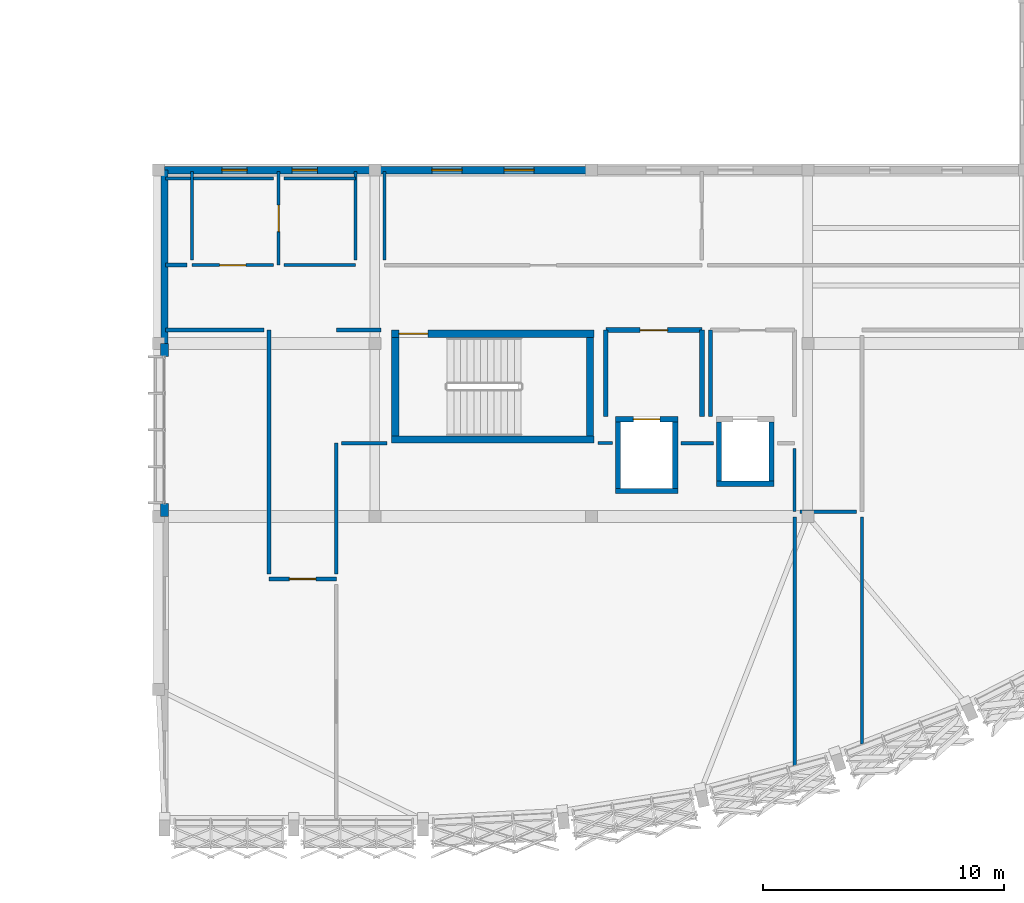
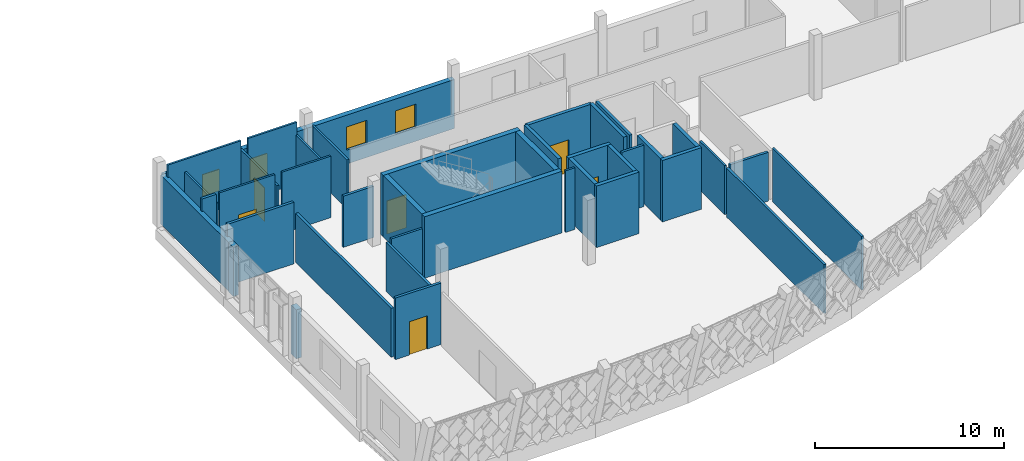
# One storey, part 19 of 24: 41 walls, 6 doors, 4 windows, 10 openings.
"""IFC4 building model written with IfcOpenShell, lengths in metres."""

from ifc_helpers import new_model, si_unit, direction, frame, frame_2d, origin, place, context, subcontext, project, spatial, rectangle, extrude, material, layer, layer_set, type_object, element, fill, save


model = new_model("IFC4")

# Units and contexts
model_context = context("Model", 3, precision=1e-05, world=origin(), true_north=direction((0.0, 1.0)))
body_context = subcontext(model_context, "Body", "Model", "MODEL_VIEW")
ifc_project = project(units=[si_unit("LENGTHUNIT", "METRE"), si_unit("AREAUNIT", "SQUARE_METRE"), si_unit("VOLUMEUNIT", "CUBIC_METRE"), si_unit("PLANEANGLEUNIT", "RADIAN"), si_unit("MASSUNIT", "GRAM", prefix="KILO")], contexts=[model_context])

# Site, building, storey
site_placement = place(None, origin())
site = spatial("IfcSite", under=ifc_project, at=site_placement, CompositionType="ELEMENT")
building_placement = place(site_placement, origin())
building = spatial("IfcBuilding", under=site, at=building_placement, Name="Chiffa Square Polytechnic", CompositionType="ELEMENT")
storey_placement = place(building_placement, frame((0.0, 0.0, 22.199951171875)))
storey = spatial("IfcBuildingStorey", under=building, at=storey_placement, Name="L05", CompositionType="ELEMENT", Elevation=22.199951171875)

# Wall
ifc_material_1 = material(Name="Concrete C40/50", Category="concrete")
ifc_layer_1 = layer(ifc_material_1, 0.300048828125, Name="Concrete C40/50")
ifc_layer_set_1 = layer_set([ifc_layer_1], Name="Concrete C40/50")
wall_type_1 = type_object("IfcWallType", Name="WL-CORE-300", PredefinedType="SHEAR", material=ifc_layer_set_1)
wall_1_placement = place(storey_placement, frame((121.89990234375, 17.60009765625, 0.0), z_axis=(0.0, 0.0, 1.0), x_axis=(1.0, 0.0, 0.0)))
element("IfcWall", 1, at=wall_1_placement, inside=storey, type_object=wall_type_1, Name="Core or enclosure wall WC-CORE-V1A-L05-SOUTH", PredefinedType="SHEAR", context=body_context, shape_type="SweptSolid", body=[
    extrude(rectangle(XDim=8.400146484375, YDim=0.300048828125, at=frame_2d((4.2001953125, 0.0))), origin(), (0.0, 0.0, 1.0), 3.97998046875),
])

# Wall, opening, door
wall_2_placement = place(storey_placement, frame((121.89990234375, 22.0, 0.0), z_axis=(0.0, 0.0, 1.0), x_axis=(1.0, 0.0, 0.0)))
wall_2 = element("IfcWall", 2, at=wall_2_placement, inside=storey, type_object=wall_type_1, Name="Core or enclosure wall WC-CORE-V1A-L05-NORTH", PredefinedType="SHEAR", context=body_context, shape_type="SweptSolid", body=[
    extrude(rectangle(XDim=8.400146484375, YDim=0.300048828125, at=frame_2d((4.2001953125, 0.0))), origin(), (0.0, 0.0, 1.0), 3.97998046875),
])
opening_1_placement = place(wall_2_placement, frame((0.300048828125, 0.0, 0.0)))
opening_1 = element("IfcOpeningElement", 3, at=opening_1_placement, cuts=wall_2, Name="Opening DS-L05-007", PredefinedType="OPENING", context=body_context, shape_type="SweptSolid", body=[
    extrude(rectangle(XDim=1.199951171875, YDim=2.14990234375, at=frame_2d((0.60009765625, 1.074951171875))), frame((0.0, 0.16015625, 0.0), z_axis=(0.0, -1.0, 0.0), x_axis=(1.0, 0.0, 0.0)), (0.0, 0.0, 1.0), 0.320068359375),
])
ifc_material_2 = material(Name="Fire-rated painted steel leaf", Category="steel")
door_type_1 = type_object("IfcDoorType", Name="DR-STAIR-1200", OperationType="NOTDEFINED", PredefinedType="DOOR", material=ifc_material_2)
door_1_placement = place(opening_1_placement, origin())
door_1 = element("IfcDoor", 4, at=door_1_placement, inside=storey, type_object=door_type_1, Name="Enclosure door DS-L05-007", OperationType="SINGLE_SWING_LEFT", OverallHeight=2.14990234375, OverallWidth=1.199951171875, PredefinedType="DOOR", context=body_context, shape_type="SweptSolid", body=[
    extrude(rectangle(XDim=1.199951171875, YDim=2.14990234375, at=frame_2d((0.60009765625, 1.074951171875))), frame((0.0, 0.02490234375, 0.0), z_axis=(0.0, -1.0, 0.0), x_axis=(1.0, 0.0, 0.0)), (0.0, 0.0, 1.0), 0.050048828125),
])
fill(opening_1, door_1)

# Walls
for number, where, z_axis, x_axis, name in (
    (5, (122.050048828125, 17.75, 0.0), (0.0, 0.0, 1.0), (0.0, 1.0, 0.0), "Core or enclosure wall WC-CORE-V1A-L05-WEST"),
    (6, (130.14990234375, 17.75, 0.0), (0.0, 0.0, 1.0), (0.0, 1.0, 0.0), "Core or enclosure wall WC-CORE-V1A-L05-EAST"),
):
    element("IfcWall", number, at=place(storey_placement, frame(where, z_axis=z_axis, x_axis=x_axis)), inside=storey, type_object=wall_type_1, Name=name, PredefinedType="SHEAR", context=body_context, shape_type="SweptSolid", body=[
        extrude(rectangle(XDim=4.10009765625, YDim=0.300048828125, at=frame_2d((2.050048828125, 0.0))), origin(), (0.0, 0.0, 1.0), 3.97998046875),
    ])

# Wall, openings, windows
ifc_material_3 = material(Name="Precast concrete C40/50", Category="concrete")
ifc_layer_2 = layer(ifc_material_3, 0.300048828125, Name="Precast concrete C40/50")
ifc_layer_set_2 = layer_set([ifc_layer_2], Name="Precast concrete C40/50")
wall_type_2 = type_object("IfcWallType", Name="WL-EXT-PC300", PredefinedType="SOLIDWALL", material=ifc_layer_set_2)
wall_3_placement = place(storey_placement, frame((130.199951171875, 28.800048828125, 0.0), z_axis=(0.0, 0.0, 1.0), x_axis=(-1.0, 0.0, 0.0)))
wall_3 = element("IfcWall", 7, at=wall_3_placement, inside=storey, type_object=wall_type_2, Name="Exterior wall WE-V1-L05-0081", PredefinedType="SOLIDWALL", context=body_context, shape_type="SweptSolid", body=[
    extrude(rectangle(XDim=9.0, YDim=0.300048828125, at=frame_2d((4.5, 0.0))), origin(), (0.0, 0.0, 1.0), 3.1650390625),
])
opening_2_placement = place(wall_3_placement, frame((2.375, 0.0, 0.89990234375)))
opening_2 = element("IfcOpeningElement", 8, at=opening_2_placement, cuts=wall_3, Name="Opening W-18", PredefinedType="OPENING", context=body_context, shape_type="SweptSolid", body=[
    extrude(rectangle(XDim=1.25, YDim=1.5, at=frame_2d((0.625, 0.75))), frame((0.0, 0.16015625, 0.0), z_axis=(0.0, -1.0, 0.0), x_axis=(1.0, 0.0, 0.0)), (0.0, 0.0, 1.0), 0.320068359375),
])
opening_3_placement = place(wall_3_placement, frame((5.375, 0.0, 0.89990234375)))
opening_3 = element("IfcOpeningElement", 9, at=opening_3_placement, cuts=wall_3, Name="Opening W-18", PredefinedType="OPENING", context=body_context, shape_type="SweptSolid", body=[
    extrude(rectangle(XDim=1.25, YDim=1.5, at=frame_2d((0.625, 0.75))), frame((0.0, 0.16015625, 0.0), z_axis=(0.0, -1.0, 0.0), x_axis=(1.0, 0.0, 0.0)), (0.0, 0.0, 1.0), 0.320068359375),
])
ifc_material_4 = material(Name="Double glazing in thermally broken aluminium frame", Category="aluminium")
window_type_1 = type_object("IfcWindowType", Name="WIN-OFF-1250X1500", PartitioningType="DOUBLE_PANEL_VERTICAL", PredefinedType="WINDOW", material=ifc_material_4)
window_1_placement = place(opening_2_placement, origin())
window_1 = element("IfcWindow", 10, at=window_1_placement, inside=storey, type_object=window_type_1, Name="Facade window WN-L05-0083", OverallHeight=1.5, OverallWidth=1.25, PartitioningType="DOUBLE_PANEL_VERTICAL", PredefinedType="WINDOW", context=body_context, shape_type="SweptSolid", body=[
    extrude(rectangle(XDim=1.25, YDim=1.5, at=frame_2d((0.625, 0.75))), frame((0.0, 0.030029296875, 0.0), z_axis=(0.0, -1.0, 0.0), x_axis=(1.0, 0.0, 0.0)), (0.0, 0.0, 1.0), 0.06005859375),
])
fill(opening_2, window_1)
window_2_placement = place(opening_3_placement, origin())
window_2 = element("IfcWindow", 11, at=window_2_placement, inside=storey, type_object=window_type_1, Name="Facade window WN-L05-0084", OverallHeight=1.5, OverallWidth=1.25, PartitioningType="DOUBLE_PANEL_VERTICAL", PredefinedType="WINDOW", context=body_context, shape_type="SweptSolid", body=[
    extrude(rectangle(XDim=1.25, YDim=1.5, at=frame_2d((0.625, 0.75))), frame((0.0, 0.030029296875, 0.0), z_axis=(0.0, -1.0, 0.0), x_axis=(1.0, 0.0, 0.0)), (0.0, 0.0, 1.0), 0.06005859375),
])
fill(opening_3, window_2)

# Wall
wall_4_placement = place(storey_placement, frame((112.449951171875, 28.800048828125, 0.0), z_axis=(0.0, 0.0, 1.0), x_axis=(0.0, -1.0, 0.0)))
element("IfcWall", 12, at=wall_4_placement, inside=storey, type_object=wall_type_2, Name="Exterior wall WE-V1-L05-0083", PredefinedType="SOLIDWALL", context=body_context, shape_type="SweptSolid", body=[
    extrude(rectangle(XDim=7.199951171875, YDim=0.300048828125, at=frame_2d((3.60009765625, 0.0))), origin(), (0.0, 0.0, 1.0), 3.1650390625),
])

# Wall, openings, windows
ifc_layer_3 = layer(ifc_material_3, 0.320068359375, Name="Precast concrete C40/50")
ifc_layer_set_3 = layer_set([ifc_layer_3], Name="Precast concrete C40/50")
wall_type_3 = type_object("IfcWallType", Name="WL-EXT-PC320", PredefinedType="SOLIDWALL", material=ifc_layer_set_3)
wall_5_placement = place(storey_placement, frame((121.199951171875, 28.800048828125, 0.0), z_axis=(0.0, 0.0, 1.0), x_axis=(-1.0, 0.0, 0.0)))
wall_5 = element("IfcWall", 13, at=wall_5_placement, inside=storey, type_object=wall_type_3, Name="Exterior wall WE-V1-L05-0082", PredefinedType="SOLIDWALL", context=body_context, shape_type="SweptSolid", body=[
    extrude(rectangle(XDim=8.75, YDim=0.320068359375, at=frame_2d((4.375, 0.0))), origin(), (0.0, 0.0, 1.0), 3.1650390625),
])
opening_4_placement = place(wall_5_placement, frame((2.39208984375, 0.0, 0.89990234375)))
opening_4 = element("IfcOpeningElement", 14, at=opening_4_placement, cuts=wall_5, Name="Opening W-20", PredefinedType="OPENING", context=body_context, shape_type="SweptSolid", body=[
    extrude(rectangle(XDim=1.050048828125, YDim=1.39990234375, at=frame_2d((0.52490234375, 0.699951171875))), frame((0.0, 0.169921875, 0.0), z_axis=(0.0, -1.0, 0.0), x_axis=(1.0, 0.0, 0.0)), (0.0, 0.0, 1.0), 0.340087890625),
])
opening_5_placement = place(wall_5_placement, frame((5.30810546875, 0.0, 0.89990234375)))
opening_5 = element("IfcOpeningElement", 15, at=opening_5_placement, cuts=wall_5, Name="Opening W-20", PredefinedType="OPENING", context=body_context, shape_type="SweptSolid", body=[
    extrude(rectangle(XDim=1.050048828125, YDim=1.39990234375, at=frame_2d((0.52490234375, 0.699951171875))), frame((0.0, 0.169921875, 0.0), z_axis=(0.0, -1.0, 0.0), x_axis=(1.0, 0.0, 0.0)), (0.0, 0.0, 1.0), 0.340087890625),
])
window_type_2 = type_object("IfcWindowType", Name="WIN-OFF-1050X1400", PartitioningType="DOUBLE_PANEL_VERTICAL", PredefinedType="WINDOW", material=ifc_material_4)
window_3_placement = place(opening_4_placement, origin())
window_3 = element("IfcWindow", 16, at=window_3_placement, inside=storey, type_object=window_type_2, Name="Facade window WN-L05-0085", OverallHeight=1.39990234375, OverallWidth=1.050048828125, PartitioningType="DOUBLE_PANEL_VERTICAL", PredefinedType="WINDOW", context=body_context, shape_type="SweptSolid", body=[
    extrude(rectangle(XDim=1.050048828125, YDim=1.39990234375, at=frame_2d((0.52490234375, 0.699951171875))), frame((0.0, 0.030029296875, 0.0), z_axis=(0.0, -1.0, 0.0), x_axis=(1.0, 0.0, 0.0)), (0.0, 0.0, 1.0), 0.06005859375),
])
fill(opening_4, window_3)
window_4_placement = place(opening_5_placement, origin())
window_4 = element("IfcWindow", 17, at=window_4_placement, inside=storey, type_object=window_type_2, Name="Facade window WN-L05-0086", OverallHeight=1.39990234375, OverallWidth=1.050048828125, PartitioningType="DOUBLE_PANEL_VERTICAL", PredefinedType="WINDOW", context=body_context, shape_type="SweptSolid", body=[
    extrude(rectangle(XDim=1.050048828125, YDim=1.39990234375, at=frame_2d((0.52490234375, 0.699951171875))), frame((0.0, 0.030029296875, 0.0), z_axis=(0.0, -1.0, 0.0), x_axis=(1.0, 0.0, 0.0)), (0.0, 0.0, 1.0), 0.06005859375),
])
fill(opening_5, window_4)

# Walls
for number, where, z_axis, x_axis, name in (
    (18, (112.449951171875, 21.60009765625, 0.0), (0.0, 0.0, 1.0), (0.0, -1.0, 0.0), "Facade column pier V1-L05-0084L"),
    (19, (112.449951171875, 14.93994140625, 0.0), (0.0, 0.0, 1.0), (0.0, -1.0, 0.0), "Facade column pier V1-L05-0084R"),
):
    element("IfcWall", number, at=place(storey_placement, frame(where, z_axis=z_axis, x_axis=x_axis)), inside=storey, type_object=wall_type_3, Name=name, PredefinedType="SOLIDWALL", context=body_context, shape_type="SweptSolid", body=[
        extrude(rectangle(XDim=0.5400390625, YDim=0.320068359375, at=frame_2d((0.27001953125, 0.0))), origin(), (0.0, 0.0, 1.0), 3.1650390625),
    ])
ifc_material_5 = material(Name="Gypsum board on steel stud", Category="steel")
ifc_layer_4 = layer(ifc_material_5, 0.125, Name="Gypsum board on steel stud")
ifc_layer_set_4 = layer_set([ifc_layer_4], Name="Gypsum board on steel stud")
wall_type_4 = type_object("IfcWallType", Name="WL-PART-125", PredefinedType="PARTITIONING", material=ifc_layer_set_4)
wall_6_placement = place(storey_placement, frame((121.60009765625, 25.070068359375, 0.0), z_axis=(0.0, 0.0, 1.0), x_axis=(0.0, 1.0, 0.0)))
element("IfcWall", 20, at=wall_6_placement, inside=storey, type_object=wall_type_4, Name="Interior partition WP-V1-L05-0677", PredefinedType="PARTITIONING", context=body_context, shape_type="SweptSolid", body=[
    extrude(rectangle(XDim=3.675048828125, YDim=0.125, at=frame_2d((1.83740234375, 0.0))), origin(), (0.0, 0.0, 1.0), 3.1650390625),
])
wall_7_placement = place(storey_placement, frame((141.449951171875, 4.94091796875, 0.0), z_axis=(0.0, 0.0, 1.0), x_axis=(0.0, 1.0, 0.0)))
element("IfcWall", 21, at=wall_7_placement, inside=storey, type_object=wall_type_4, Name="Interior partition WP-V1-L05-0692", PredefinedType="PARTITIONING", context=body_context, shape_type="SweptSolid", body=[
    extrude(rectangle(XDim=9.43896484375, YDim=0.125, at=frame_2d((4.719482421875, 0.0))), origin(), (0.0, 0.0, 1.0), 3.465087890625),
])
wall_8_placement = place(storey_placement, frame((130.487060546875, 17.449951171875, 0.0), z_axis=(0.0, 0.0, 1.0), x_axis=(1.0, 0.0, 0.0)))
element("IfcWall", 22, at=wall_8_placement, inside=storey, type_object=wall_type_4, Name="Interior partition WP-V1-L05-0695", PredefinedType="PARTITIONING", context=body_context, shape_type="SweptSolid", body=[
    extrude(rectangle(XDim=0.5830078125, YDim=0.125, at=frame_2d((0.29150390625, 0.0))), origin(), (0.0, 0.0, 1.0), 3.97998046875),
])
wall_9_placement = place(storey_placement, frame((138.64990234375, 14.60009765625, 0.0), z_axis=(0.0, 0.0, 1.0), x_axis=(0.0, 1.0, 0.0)))
element("IfcWall", 23, at=wall_9_placement, inside=storey, type_object=wall_type_4, Name="Interior partition WP-V1-L05-0698", PredefinedType="PARTITIONING", context=body_context, shape_type="SweptSolid", body=[
    extrude(rectangle(XDim=2.6298828125, YDim=0.125, at=frame_2d((1.31494140625, 0.0))), origin(), (0.0, 0.0, 1.0), 3.1650390625),
])
ifc_layer_5 = layer(ifc_material_5, 0.135009765625, Name="Gypsum board on steel stud")
ifc_layer_set_5 = layer_set([ifc_layer_5], Name="Gypsum board on steel stud")
wall_type_5 = type_object("IfcWallType", Name="WL-PART-135", PredefinedType="PARTITIONING", material=ifc_layer_set_5)
wall_10_placement = place(storey_placement, frame((119.820068359375, 17.449951171875, 0.0), z_axis=(0.0, 0.0, 1.0), x_axis=(1.0, 0.0, 0.0)))
element("IfcWall", 24, at=wall_10_placement, inside=storey, type_object=wall_type_5, Name="Interior partition WP-V1-L05-0694", PredefinedType="PARTITIONING", context=body_context, shape_type="SweptSolid", body=[
    extrude(rectangle(XDim=1.892822265625, YDim=0.135009765625, at=frame_2d((0.9462890625, 0.0))), origin(), (0.0, 0.0, 1.0), 3.31494140625),
])
ifc_layer_6 = layer(ifc_material_5, 0.14501953125, Name="Gypsum board on steel stud")
ifc_layer_set_6 = layer_set([ifc_layer_6], Name="Gypsum board on steel stud")
wall_type_6 = type_object("IfcWallType", Name="WL-PART-145", PredefinedType="PARTITIONING", material=ifc_layer_set_6)
wall_11_placement = place(storey_placement, frame((119.60009765625, 12.02001953125, 0.0), z_axis=(0.0, 0.0, 1.0), x_axis=(0.0, 1.0, 0.0)))
element("IfcWall", 25, at=wall_11_placement, inside=storey, type_object=wall_type_6, Name="Interior partition WP-V1-L05-0693", PredefinedType="PARTITIONING", context=body_context, shape_type="SweptSolid", body=[
    extrude(rectangle(XDim=5.429931640625, YDim=0.14501953125, at=frame_2d((2.71484375, 0.0))), origin(), (0.0, 0.0, 1.0), 3.1650390625),
])
wall_12_placement = place(storey_placement, frame((133.929931640625, 17.449951171875, 0.0), z_axis=(0.0, 0.0, 1.0), x_axis=(1.0, 0.0, 0.0)))
element("IfcWall", 26, at=wall_12_placement, inside=storey, type_object=wall_type_6, Name="Interior partition WP-V1-L05-0696", PredefinedType="PARTITIONING", context=body_context, shape_type="SweptSolid", body=[
    extrude(rectangle(XDim=1.340087890625, YDim=0.14501953125, at=frame_2d((0.669921875, 0.0))), origin(), (0.0, 0.0, 1.0), 3.97998046875),
])
wall_13_placement = place(storey_placement, frame((138.64990234375, 4.049072265625, 0.0), z_axis=(0.0, 0.0, 1.0), x_axis=(0.0, 1.0, 0.0)))
element("IfcWall", 27, at=wall_13_placement, inside=storey, type_object=wall_type_6, Name="Interior partition WP-V1-L05-0699", PredefinedType="PARTITIONING", context=body_context, shape_type="SweptSolid", body=[
    extrude(rectangle(XDim=10.330810546875, YDim=0.14501953125, at=frame_2d((5.16552734375, 0.0))), origin(), (0.0, 0.0, 1.0), 3.1650390625),
])

# Wall, opening, door
ifc_material_6 = material(Name="Autoclaved aerated concrete blockwork", Category="masonry")
ifc_layer_7 = layer(ifc_material_6, 0.199951171875, Name="Autoclaved aerated concrete blockwork")
ifc_layer_set_7 = layer_set([ifc_layer_7], Name="Autoclaved aerated concrete blockwork")
wall_type_7 = type_object("IfcWallType", Name="WL-PART-EI120-200", PredefinedType="PARTITIONING", material=ifc_layer_set_7)
wall_14_placement = place(storey_placement, frame((130.800048828125, 22.14990234375, 0.0), z_axis=(0.0, 0.0, 1.0), x_axis=(1.0, 0.0, 0.0)))
wall_14 = element("IfcWall", 28, at=wall_14_placement, inside=storey, type_object=wall_type_7, Name="Lift lobby rated enclosure WP-LOB-LF-V1-L05-NORTH", PredefinedType="PARTITIONING", context=body_context, shape_type="SweptSolid", body=[
    extrude(rectangle(XDim=4.0, YDim=0.199951171875, at=frame_2d((2.0, 0.0))), origin(), (0.0, 0.0, 1.0), 3.97998046875),
])
opening_6_placement = place(wall_14_placement, frame((1.425048828125, 0.0, 0.0)))
opening_6 = element("IfcOpeningElement", 29, at=opening_6_placement, cuts=wall_14, Name="Opening DI-L05-007", PredefinedType="OPENING", context=body_context, shape_type="SweptSolid", body=[
    extrude(rectangle(XDim=1.14990234375, YDim=2.14990234375, at=frame_2d((0.574951171875, 1.074951171875))), frame((0.0, 0.10986328125, 0.0), z_axis=(0.0, -1.0, 0.0), x_axis=(1.0, 0.0, 0.0)), (0.0, 0.0, 1.0), 0.219970703125),
])
ifc_material_7 = material(Name="Fire-rated steel door leaf", Category="steel")
door_type_2 = type_object("IfcDoorType", Name="DR-LOBBY-FD120", OperationType="NOTDEFINED", PredefinedType="DOOR", material=ifc_material_7)
door_2_placement = place(opening_6_placement, origin())
door_2 = element("IfcDoor", 30, at=door_2_placement, inside=storey, type_object=door_type_2, Name="Lift lobby fire door DI-L05-007", OperationType="SINGLE_SWING_RIGHT", OverallHeight=2.14990234375, OverallWidth=1.14990234375, PredefinedType="DOOR", context=body_context, shape_type="SweptSolid", body=[
    extrude(rectangle(XDim=1.14990234375, YDim=2.14990234375, at=frame_2d((0.574951171875, 1.074951171875))), frame((0.0, 0.02490234375, 0.0), z_axis=(0.0, -1.0, 0.0), x_axis=(1.0, 0.0, 0.0)), (0.0, 0.0, 1.0), 0.050048828125),
])
fill(opening_6, door_2)

# Walls
for number, where, z_axis, x_axis, name in (
    (31, (130.800048828125, 18.550048828125, 0.0), (0.0, 0.0, 1.0), (0.0, 1.0, 0.0), "Lift lobby rated enclosure WP-LOB-LF-V1-L05-WEST"),
    (32, (134.800048828125, 18.550048828125, 0.0), (0.0, 0.0, 1.0), (0.0, 1.0, 0.0), "Lift lobby rated enclosure WP-LOB-LF-V1-L05-EAST"),
):
    element("IfcWall", number, at=place(storey_placement, frame(where, z_axis=z_axis, x_axis=x_axis)), inside=storey, type_object=wall_type_7, Name=name, PredefinedType="PARTITIONING", context=body_context, shape_type="SweptSolid", body=[
        extrude(rectangle(XDim=3.599853515625, YDim=0.199951171875, at=frame_2d((1.7998046875, 0.0))), origin(), (0.0, 0.0, 1.0), 3.97998046875),
    ])
ifc_material_8 = material(Name="Gypsum board on acoustic steel stud", Category="steel")
ifc_layer_8 = layer(ifc_material_8, 0.159912109375, Name="Gypsum board on acoustic steel stud")
ifc_layer_set_8 = layer_set([ifc_layer_8], Name="Gypsum board on acoustic steel stud")
wall_type_8 = type_object("IfcWallType", Name="WL-PART-EI60-160", PredefinedType="PARTITIONING", material=ifc_layer_set_8)
wall_15_placement = place(storey_placement, frame((135.14990234375, 18.550048828125, 0.0), z_axis=(0.0, 0.0, 1.0), x_axis=(0.0, 1.0, 0.0)))
element("IfcWall", 33, at=wall_15_placement, inside=storey, type_object=wall_type_8, Name="Lift lobby rated enclosure WP-LOB-LP-V1A-L05-WEST", PredefinedType="PARTITIONING", context=body_context, shape_type="SweptSolid", body=[
    extrude(rectangle(XDim=3.599853515625, YDim=0.159912109375, at=frame_2d((1.7998046875, 0.0))), origin(), (0.0, 0.0, 1.0), 3.97998046875),
])

# Wall, opening, door
wall_16_placement = place(storey_placement, frame((116.800048828125, 11.800048828125, 0.0), z_axis=(0.0, 0.0, 1.0), x_axis=(1.0, 0.0, 0.0)))
wall_16 = element("IfcWall", 34, at=wall_16_placement, inside=storey, type_object=wall_type_8, Name="Interior partition WP-V1-L05-0681", PredefinedType="PARTITIONING", context=body_context, shape_type="SweptSolid", body=[
    extrude(rectangle(XDim=2.800048828125, YDim=0.159912109375, at=frame_2d((1.39990234375, 0.0))), origin(), (0.0, 0.0, 1.0), 3.97998046875),
])
opening_7_placement = place(wall_16_placement, frame((0.85009765625, 0.0, 0.0)))
opening_7 = element("IfcOpeningElement", 35, at=opening_7_placement, cuts=wall_16, Name="Opening DI-L05-235", PredefinedType="OPENING", context=body_context, shape_type="SweptSolid", body=[
    extrude(rectangle(XDim=1.10009765625, YDim=2.14990234375, at=frame_2d((0.550048828125, 1.074951171875))), frame((0.0, 0.08984375, 0.0), z_axis=(0.0, -1.0, 0.0), x_axis=(1.0, 0.0, 0.0)), (0.0, 0.0, 1.0), 0.179931640625),
])
ifc_material_9 = material(Name="Solid core ash veneer door")
door_type_3 = type_object("IfcDoorType", Name="DR-INT-1100", OperationType="NOTDEFINED", PredefinedType="DOOR", material=ifc_material_9)
door_3_placement = place(opening_7_placement, origin())
door_3 = element("IfcDoor", 36, at=door_3_placement, inside=storey, type_object=door_type_3, Name="Interior room door DI-L05-235", OperationType="SINGLE_SWING_RIGHT", OverallHeight=2.14990234375, OverallWidth=1.10009765625, PredefinedType="DOOR", context=body_context, shape_type="SweptSolid", body=[
    extrude(rectangle(XDim=1.10009765625, YDim=2.14990234375, at=frame_2d((0.550048828125, 1.074951171875))), frame((0.0, 0.02490234375, 0.0), z_axis=(0.0, -1.0, 0.0), x_axis=(1.0, 0.0, 0.0)), (0.0, 0.0, 1.0), 0.050048828125),
])
fill(opening_7, door_3)

# Walls
wall_17_placement = place(storey_placement, frame((116.800048828125, 12.02001953125, 0.0), z_axis=(0.0, 0.0, 1.0), x_axis=(0.0, 1.0, 0.0)))
element("IfcWall", 37, at=wall_17_placement, inside=storey, type_object=wall_type_8, Name="Interior partition WP-V1-L05-0682", PredefinedType="PARTITIONING", context=body_context, shape_type="SweptSolid", body=[
    extrude(rectangle(XDim=10.1298828125, YDim=0.159912109375, at=frame_2d((5.06494140625, 0.0))), origin(), (0.0, 0.0, 1.0), 3.1650390625),
])
wall_18_placement = place(storey_placement, frame((112.5048828125, 22.14990234375, 0.0), z_axis=(0.0, 0.0, 1.0), x_axis=(1.0, 0.0, 0.0)))
element("IfcWall", 38, at=wall_18_placement, inside=storey, type_object=wall_type_8, Name="Interior partition WP-V1-L05-0683", PredefinedType="PARTITIONING", context=body_context, shape_type="SweptSolid", body=[
    extrude(rectangle(XDim=4.0751953125, YDim=0.159912109375, at=frame_2d((2.03759765625, 0.0))), origin(), (0.0, 0.0, 1.0), 3.97998046875),
])
wall_19_placement = place(storey_placement, frame((138.8701171875, 14.60009765625, 0.0), z_axis=(0.0, 0.0, 1.0), x_axis=(1.0, 0.0, 0.0)))
element("IfcWall", 39, at=wall_19_placement, inside=storey, type_object=wall_type_8, Name="Interior partition WP-V1-L05-0710", PredefinedType="PARTITIONING", context=body_context, shape_type="SweptSolid", body=[
    extrude(rectangle(XDim=2.35986328125, YDim=0.159912109375, at=frame_2d((1.179931640625, 0.0))), origin(), (0.0, 0.0, 1.0), 3.1650390625),
])
wall_20_placement = place(storey_placement, frame((119.60009765625, 22.14990234375, 0.0), z_axis=(0.0, 0.0, 1.0), x_axis=(1.0, 0.0, 0.0)))
element("IfcWall", 40, at=wall_20_placement, inside=storey, type_object=wall_type_8, Name="Interior partition WP-V1-L05-0711", PredefinedType="PARTITIONING", context=body_context, shape_type="SweptSolid", body=[
    extrude(rectangle(XDim=1.85888671875, YDim=0.159912109375, at=frame_2d((0.929443359375, 0.0))), origin(), (0.0, 0.0, 1.0), 3.31494140625),
])
wall_21_placement = place(storey_placement, frame((112.5048828125, 24.85009765625, 0.0), z_axis=(0.0, 0.0, 1.0), x_axis=(1.0, 0.0, 0.0)))
element("IfcWall", 41, at=wall_21_placement, inside=storey, type_object=wall_type_8, Name="Interior partition WP-V1-L05-0712", PredefinedType="PARTITIONING", context=body_context, shape_type="SweptSolid", body=[
    extrude(rectangle(XDim=0.875, YDim=0.159912109375, at=frame_2d((0.4375, 0.0))), origin(), (0.0, 0.0, 1.0), 3.97998046875),
])

# Wall, opening, door
ifc_material_10 = material(Name="Moisture-resistant board partition")
ifc_layer_9 = layer(ifc_material_10, 0.1201171875, Name="Moisture-resistant board partition")
ifc_layer_set_9 = layer_set([ifc_layer_9], Name="Moisture-resistant board partition")
wall_type_9 = type_object("IfcWallType", Name="WL-PART-WC-120", PredefinedType="PARTITIONING", material=ifc_layer_set_9)
wall_22_placement = place(storey_placement, frame((117.199951171875, 24.85009765625, 0.0), z_axis=(0.0, 0.0, 1.0), x_axis=(0.0, 1.0, 0.0)))
wall_22 = element("IfcWall", 42, at=wall_22_placement, inside=storey, type_object=wall_type_9, Name="Interior partition WP-V1-L05-0669", PredefinedType="PARTITIONING", context=body_context, shape_type="SweptSolid", body=[
    extrude(rectangle(XDim=3.89501953125, YDim=0.1201171875, at=frame_2d((1.947509765625, 0.0))), origin(), (0.0, 0.0, 1.0), 3.1650390625),
])
opening_8_placement = place(wall_22_placement, frame((1.39697265625, 0.0, 0.0)))
opening_8 = element("IfcOpeningElement", 43, at=opening_8_placement, cuts=wall_22, Name="Opening DI-L05-231", PredefinedType="OPENING", context=body_context, shape_type="SweptSolid", body=[
    extrude(rectangle(XDim=1.10009765625, YDim=2.14990234375, at=frame_2d((0.550048828125, 1.074951171875))), frame((0.0, 0.070068359375, 0.0), z_axis=(0.0, -1.0, 0.0), x_axis=(1.0, 0.0, 0.0)), (0.0, 0.0, 1.0), 0.14013671875),
])
door_4_placement = place(opening_8_placement, origin())
door_4 = element("IfcDoor", 44, at=door_4_placement, inside=storey, type_object=door_type_3, Name="Interior room door DI-L05-231", OperationType="SINGLE_SWING_RIGHT", OverallHeight=2.14990234375, OverallWidth=1.10009765625, PredefinedType="DOOR", context=body_context, shape_type="SweptSolid", body=[
    extrude(rectangle(XDim=1.10009765625, YDim=2.14990234375, at=frame_2d((0.550048828125, 1.074951171875))), frame((0.0, 0.02490234375, 0.0), z_axis=(0.0, -1.0, 0.0), x_axis=(1.0, 0.0, 0.0)), (0.0, 0.0, 1.0), 0.050048828125),
])
fill(opening_8, door_4)

# Walls
for number, where, z_axis, x_axis, name in (
    (45, (117.419921875, 24.85009765625, 0.0), (0.0, 0.0, 1.0), (1.0, 0.0, 0.0), "Interior partition WP-V1-L05-0670"),
    (46, (117.419921875, 28.449951171875, 0.0), (0.0, 0.0, 1.0), (1.0, 0.0, 0.0), "Interior partition WP-V1-L05-0671"),
):
    element("IfcWall", number, at=place(storey_placement, frame(where, z_axis=z_axis, x_axis=x_axis)), inside=storey, type_object=wall_type_9, Name=name, PredefinedType="PARTITIONING", context=body_context, shape_type="SweptSolid", body=[
        extrude(rectangle(XDim=2.97998046875, YDim=0.1201171875, at=frame_2d((1.489990234375, 0.0))), origin(), (0.0, 0.0, 1.0), 3.97998046875),
    ])
wall_23_placement = place(storey_placement, frame((120.39990234375, 25.070068359375, 0.0), z_axis=(0.0, 0.0, 1.0), x_axis=(0.0, 1.0, 0.0)))
element("IfcWall", 47, at=wall_23_placement, inside=storey, type_object=wall_type_9, Name="Interior partition WP-V1-L05-0672", PredefinedType="PARTITIONING", context=body_context, shape_type="SweptSolid", body=[
    extrude(rectangle(XDim=3.675048828125, YDim=0.1201171875, at=frame_2d((1.83740234375, 0.0))), origin(), (0.0, 0.0, 1.0), 3.1650390625),
])
wall_24_placement = place(storey_placement, frame((112.5048828125, 28.449951171875, 0.0), z_axis=(0.0, 0.0, 1.0), x_axis=(1.0, 0.0, 0.0)))
element("IfcWall", 48, at=wall_24_placement, inside=storey, type_object=wall_type_9, Name="Interior partition WP-V1-L05-0673", PredefinedType="PARTITIONING", context=body_context, shape_type="SweptSolid", body=[
    extrude(rectangle(XDim=4.47509765625, YDim=0.1201171875, at=frame_2d((2.237548828125, 0.0))), origin(), (0.0, 0.0, 1.0), 3.97998046875),
])

# Wall, opening, door
wall_25_placement = place(storey_placement, frame((113.60009765625, 24.85009765625, 0.0), z_axis=(0.0, 0.0, 1.0), x_axis=(1.0, 0.0, 0.0)))
wall_25 = element("IfcWall", 49, at=wall_25_placement, inside=storey, type_object=wall_type_9, Name="Interior partition WP-V1-L05-0674", PredefinedType="PARTITIONING", context=body_context, shape_type="SweptSolid", body=[
    extrude(rectangle(XDim=3.3798828125, YDim=0.1201171875, at=frame_2d((1.68994140625, 0.0))), origin(), (0.0, 0.0, 1.0), 3.97998046875),
])
opening_9_placement = place(wall_25_placement, frame((1.139892578125, 0.0, 0.0)))
opening_9 = element("IfcOpeningElement", 50, at=opening_9_placement, cuts=wall_25, Name="Opening DI-L05-232", PredefinedType="OPENING", context=body_context, shape_type="SweptSolid", body=[
    extrude(rectangle(XDim=1.10009765625, YDim=2.14990234375, at=frame_2d((0.550048828125, 1.074951171875))), frame((0.0, 0.070068359375, 0.0), z_axis=(0.0, -1.0, 0.0), x_axis=(1.0, 0.0, 0.0)), (0.0, 0.0, 1.0), 0.14013671875),
])
door_5_placement = place(opening_9_placement, origin())
door_5 = element("IfcDoor", 51, at=door_5_placement, inside=storey, type_object=door_type_3, Name="Interior room door DI-L05-232", OperationType="SINGLE_SWING_LEFT", OverallHeight=2.14990234375, OverallWidth=1.10009765625, PredefinedType="DOOR", context=body_context, shape_type="SweptSolid", body=[
    extrude(rectangle(XDim=1.10009765625, YDim=2.14990234375, at=frame_2d((0.550048828125, 1.074951171875))), frame((0.0, 0.02490234375, 0.0), z_axis=(0.0, -1.0, 0.0), x_axis=(1.0, 0.0, 0.0)), (0.0, 0.0, 1.0), 0.050048828125),
])
fill(opening_9, door_5)

# Walls
wall_26_placement = place(storey_placement, frame((113.60009765625, 25.070068359375, 0.0), z_axis=(0.0, 0.0, 1.0), x_axis=(0.0, 1.0, 0.0)))
element("IfcWall", 52, at=wall_26_placement, inside=storey, type_object=wall_type_9, Name="Interior partition WP-V1-L05-0675", PredefinedType="PARTITIONING", context=body_context, shape_type="SweptSolid", body=[
    extrude(rectangle(XDim=3.675048828125, YDim=0.1201171875, at=frame_2d((1.83740234375, 0.0))), origin(), (0.0, 0.0, 1.0), 3.1650390625),
])
ifc_material_11 = material(Name="Concrete C35/45", Category="concrete")
ifc_layer_10 = layer(ifc_material_11, 0.219970703125, Name="Concrete C35/45")
ifc_layer_set_10 = layer_set([ifc_layer_10], Name="Concrete C35/45")
wall_type_10 = type_object("IfcWallType", Name="WL-SHAFT-220", PredefinedType="SHEAR", material=ifc_layer_set_10)
wall_27_placement = place(storey_placement, frame((131.199951171875, 15.4599609375, 0.0), z_axis=(0.0, 0.0, 1.0), x_axis=(1.0, 0.0, 0.0)))
element("IfcWall", 53, at=wall_27_placement, inside=storey, type_object=wall_type_10, Name="Core or enclosure wall WS-LF-V1-L05-SOUTH", PredefinedType="SHEAR", context=body_context, shape_type="SweptSolid", body=[
    extrude(rectangle(XDim=2.60009765625, YDim=0.219970703125, at=frame_2d((1.300048828125, 0.0))), origin(), (0.0, 0.0, 1.0), 3.97998046875),
])

# Wall, opening, door
wall_28_placement = place(storey_placement, frame((131.199951171875, 18.43994140625, 0.0), z_axis=(0.0, 0.0, 1.0), x_axis=(1.0, 0.0, 0.0)))
wall_28 = element("IfcWall", 54, at=wall_28_placement, inside=storey, type_object=wall_type_10, Name="Core or enclosure wall WS-LF-V1-L05-NORTH", PredefinedType="SHEAR", context=body_context, shape_type="SweptSolid", body=[
    extrude(rectangle(XDim=2.60009765625, YDim=0.219970703125, at=frame_2d((1.300048828125, 0.0))), origin(), (0.0, 0.0, 1.0), 3.97998046875),
])
opening_10_placement = place(wall_28_placement, frame((0.75, 0.0, 0.0)))
opening_10 = element("IfcOpeningElement", 55, at=opening_10_placement, cuts=wall_28, Name="Opening LD-LF-V1-L05", PredefinedType="OPENING", context=body_context, shape_type="SweptSolid", body=[
    extrude(rectangle(XDim=1.10009765625, YDim=2.14990234375, at=frame_2d((0.550048828125, 1.074951171875))), frame((0.0, 0.1201171875, 0.0), z_axis=(0.0, -1.0, 0.0), x_axis=(1.0, 0.0, 0.0)), (0.0, 0.0, 1.0), 0.239990234375),
])
ifc_material_12 = material(Name="Brushed stainless steel sliding landing door", Category="steel")
door_type_4 = type_object("IfcDoorType", Name="DR-LIFT-1100", OperationType="SLIDING_TO_LEFT", PredefinedType="DOOR", material=ifc_material_12)
door_6_placement = place(opening_10_placement, origin())
door_6 = element("IfcDoor", 56, at=door_6_placement, inside=storey, type_object=door_type_4, Name="Enclosure door LD-LF-V1-L05", OperationType="SLIDING_TO_LEFT", OverallHeight=2.14990234375, OverallWidth=1.10009765625, PredefinedType="DOOR", context=body_context, shape_type="SweptSolid", body=[
    extrude(rectangle(XDim=1.10009765625, YDim=2.14990234375, at=frame_2d((0.550048828125, 1.074951171875))), frame((0.0, 0.02490234375, 0.0), z_axis=(0.0, -1.0, 0.0), x_axis=(1.0, 0.0, 0.0)), (0.0, 0.0, 1.0), 0.050048828125),
])
fill(opening_10, door_6)

# Walls
for number, where, z_axis, x_axis, name in (
    (57, (131.31005859375, 15.570068359375, 0.0), (0.0, 0.0, 1.0), (0.0, 1.0, 0.0), "Core or enclosure wall WS-LF-V1-L05-WEST"),
    (58, (133.68994140625, 15.570068359375, 0.0), (0.0, 0.0, 1.0), (0.0, 1.0, 0.0), "Core or enclosure wall WS-LF-V1-L05-EAST"),
):
    element("IfcWall", number, at=place(storey_placement, frame(where, z_axis=z_axis, x_axis=x_axis)), inside=storey, type_object=wall_type_10, Name=name, PredefinedType="SHEAR", context=body_context, shape_type="SweptSolid", body=[
        extrude(rectangle(XDim=2.760009765625, YDim=0.219970703125, at=frame_2d((1.3798828125, 0.0))), origin(), (0.0, 0.0, 1.0), 3.97998046875),
    ])
wall_29_placement = place(storey_placement, frame((135.39990234375, 15.760009765625, 0.0), z_axis=(0.0, 0.0, 1.0), x_axis=(1.0, 0.0, 0.0)))
element("IfcWall", 59, at=wall_29_placement, inside=storey, type_object=wall_type_10, Name="Core or enclosure wall WS-LP-V1A-L05-SOUTH", PredefinedType="SHEAR", context=body_context, shape_type="SweptSolid", body=[
    extrude(rectangle(XDim=2.400146484375, YDim=0.219970703125, at=frame_2d((1.2001953125, 0.0))), origin(), (0.0, 0.0, 1.0), 3.97998046875),
])
for number, where, z_axis, x_axis, name in (
    (60, (135.510009765625, 15.8701171875, 0.0), (0.0, 0.0, 1.0), (0.0, 1.0, 0.0), "Core or enclosure wall WS-LP-V1A-L05-WEST"),
    (61, (137.68994140625, 15.8701171875, 0.0), (0.0, 0.0, 1.0), (0.0, 1.0, 0.0), "Core or enclosure wall WS-LP-V1A-L05-EAST"),
):
    element("IfcWall", number, at=place(storey_placement, frame(where, z_axis=z_axis, x_axis=x_axis)), inside=storey, type_object=wall_type_10, Name=name, PredefinedType="SHEAR", context=body_context, shape_type="SweptSolid", body=[
        extrude(rectangle(XDim=2.4599609375, YDim=0.219970703125, at=frame_2d((1.22998046875, 0.0))), origin(), (0.0, 0.0, 1.0), 3.97998046875),
    ])

save(model, "model.ifc")
